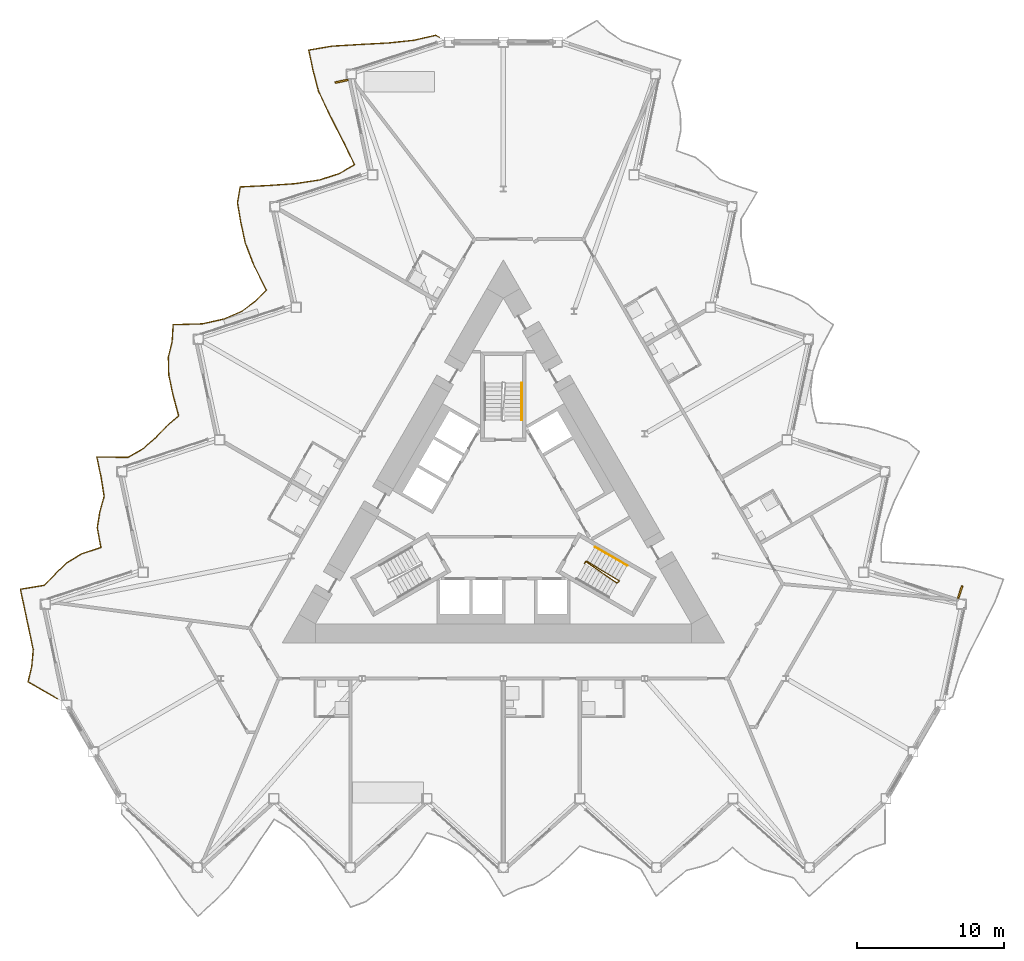
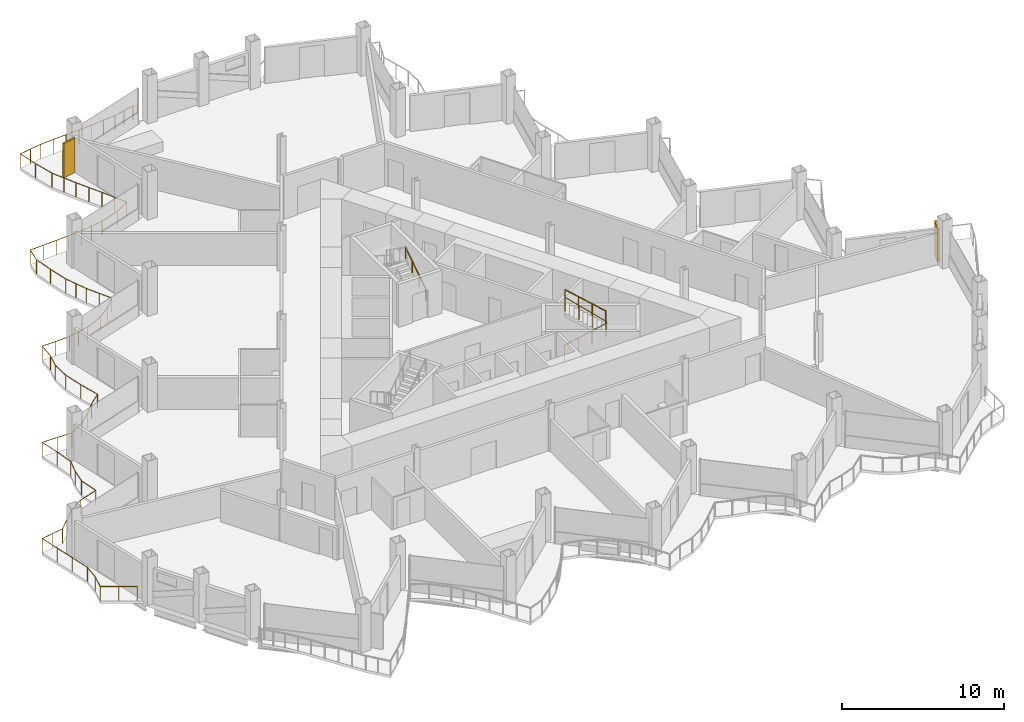
# One storey, part 20 of 23: 4 railings, 2 shading devices.
"""IFC4 building model written with IfcOpenShell, lengths in metres."""

from ifc_helpers import new_model, si_unit, direction, frame, origin, origin_2d, place, context, subcontext, project, spatial, rectangle, circle, extrude, material, layer, layer_set, type_object, element, save


model = new_model("IFC4")

# Units and contexts
model_context = context("Model", 3, precision=1e-05, world=origin(), true_north=direction((0.0, 1.0)))
body_context = subcontext(model_context, "Body", "Model", "MODEL_VIEW")
ifc_project = project(units=[si_unit("LENGTHUNIT", "METRE"), si_unit("AREAUNIT", "SQUARE_METRE"), si_unit("VOLUMEUNIT", "CUBIC_METRE"), si_unit("PLANEANGLEUNIT", "RADIAN"), si_unit("MASSUNIT", "GRAM", prefix="KILO")], contexts=[model_context])

# Site, building, storey
site_placement = place(None, origin())
site = spatial("IfcSite", under=ifc_project, at=site_placement, CompositionType="ELEMENT")
building_placement = place(site_placement, origin())
building = spatial("IfcBuilding", under=site, at=building_placement, Name="Cormorant Prow Tower", CompositionType="ELEMENT")
storey_placement = place(building_placement, frame((0.0, 0.0, 256.199951171875)))
storey = spatial("IfcBuildingStorey", under=building, at=storey_placement, Name="L57", CompositionType="ELEMENT", Elevation=256.199951171875)

# Railings
ifc_material_1 = material(Name="Aluminium 6063-T6", Category="aluminium")
railing_type_1 = type_object("IfcRailingType", Name="Balcony guard 1100", PredefinedType="GUARDRAIL", material=ifc_material_1)
railing_1_placement = place(storey_placement, frame((-4.348876953125, 32.414794921875, 0.0)))
element("IfcRailing", 1, at=railing_1_placement, inside=storey, type_object=railing_type_1, Name="Balcony guard WNW", PredefinedType="GUARDRAIL", context=body_context, shape_type="SweptSolid", body=[
    extrude(circle(Radius=0.02392578125, at=origin_2d()), frame((0.0, 0.0, 1.076171875), z_axis=(-0.865838944724, 0.500322817589, 0.0), x_axis=(-0.500322817589, -0.865838944724, 0.0)), (0.0, 0.0, 1.0), 0.269775390625),
    extrude(circle(Radius=0.02392578125, at=origin_2d()), frame((-0.233642578125, 0.135009765625, 1.076171875), z_axis=(-0.974797751922, -0.22309043648, 0.0), x_axis=(0.22309043648, -0.974797751922, 0.0)), (0.0, 0.0, 1.0), 1.522216796875),
    extrude(circle(Radius=0.02392578125, at=origin_2d()), frame((-1.717529296875, -0.20458984375, 1.076171875), z_axis=(-0.994581794299, -0.103956983649, 0.0), x_axis=(0.103956983649, -0.994581794299, 0.0)), (0.0, 0.0, 1.0), 1.763671875),
    extrude(circle(Radius=0.02392578125, at=origin_2d()), frame((-3.4716796875, -0.387939453125, 1.076171875), z_axis=(-0.998620310905, -0.052511662016, 0.0), x_axis=(0.052511662016, -0.998620310905, 0.0)), (0.0, 0.0, 1.0), 1.901611328125),
    extrude(circle(Radius=0.02392578125, at=origin_2d()), frame((-5.37060546875, -0.48779296875, 1.076171875), z_axis=(-0.998198317464, -0.06000099176, 0.0), x_axis=(0.06000099176, -0.998198317464, 0.0)), (0.0, 0.0, 1.0), 1.8798828125),
    extrude(circle(Radius=0.02392578125, at=origin_2d()), frame((-7.2470703125, -0.6005859375, 1.076171875), z_axis=(-0.986349342736, -0.164666250595, 0.0), x_axis=(0.164666250595, -0.986349342736, 0.0)), (0.0, 0.0, 1.0), 1.62939453125),
    extrude(circle(Radius=0.02392578125, at=origin_2d()), frame((-8.854248046875, -0.868896484375, 1.076171875), z_axis=(0.207890175504, -0.978152173708, 0.0), x_axis=(0.978152173708, 0.207890175504, 0.0)), (0.0, 0.0, 1.0), 1.39404296875),
    extrude(circle(Radius=0.02392578125, at=origin_2d()), frame((-8.564453125, -2.232421875, 1.076171875), z_axis=(0.250868855588, -0.968021083084, 0.0), x_axis=(0.968021083084, 0.250868855588, 0.0)), (0.0, 0.0, 1.0), 1.452880859375),
    extrude(circle(Radius=0.02392578125, at=origin_2d()), frame((-8.199951171875, -3.638916015625, 1.076171875), z_axis=(0.42504452231, -0.905172444374, 0.0), x_axis=(0.905172444374, 0.42504452231, 0.0)), (0.0, 0.0, 1.0), 1.812744140625),
    extrude(circle(Radius=0.02392578125, at=origin_2d()), frame((-7.429443359375, -5.27978515625, 1.076171875), z_axis=(0.457042214947, -0.889445003222, 0.0), x_axis=(0.889445003222, 0.457042214947, 0.0)), (0.0, 0.0, 1.0), 1.912353515625),
    extrude(circle(Radius=0.02392578125, at=origin_2d()), frame((-6.555419921875, -6.980712890625, 1.076171875), z_axis=(0.436662581505, -0.899625360866, 0.0), x_axis=(0.899625360866, 0.436662581505, 0.0)), (0.0, 0.0, 1.0), 1.84716796875),
    extrude(circle(Radius=0.02392578125, at=origin_2d()), frame((-5.748779296875, -8.642578125, 1.076171875), z_axis=(-0.86235547219, -0.506303307894, 0.0), x_axis=(0.506303307894, -0.86235547219, 0.0)), (0.0, 0.0, 1.0), 1.19091796875),
    extrude(circle(Radius=0.02392578125, at=origin_2d()), frame((-6.77587890625, -9.24560546875, 1.076171875), z_axis=(-0.952316734925, -0.305111186918, 0.0), x_axis=(0.305111186918, -0.952316734925, 0.0)), (0.0, 0.0, 1.0), 1.3994140625),
    extrude(circle(Radius=0.02392578125, at=origin_2d()), frame((-8.108642578125, -9.672607421875, 1.076171875), z_axis=(-0.988417686889, -0.151757952821, 0.0), x_axis=(0.151757952821, -0.988417686889, 0.0)), (0.0, 0.0, 1.0), 1.655517578125),
    extrude(circle(Radius=0.02392578125, at=origin_2d()), frame((-9.744873046875, -9.923828125, 1.076171875), z_axis=(-0.997587421512, -0.069421440794, 0.0), x_axis=(0.069421440794, -0.997587421512, 0.0)), (0.0, 0.0, 1.0), 1.853271484375),
    extrude(circle(Radius=0.02392578125, at=origin_2d()), frame((-11.59375, -10.052490234375, 1.076171875), z_axis=(-0.998789958657, -0.049179451859, 0.0), x_axis=(0.049179451859, -0.998789958657, 0.0)), (0.0, 0.0, 1.0), 1.9111328125),
    extrude(circle(Radius=0.02392578125, at=origin_2d()), frame((-13.502685546875, -10.146484375, 1.076171875), z_axis=(-0.165329575329, -0.986238374594, 0.0), x_axis=(0.986238374594, -0.165329575329, 0.0)), (0.0, 0.0, 1.0), 1.10595703125),
    extrude(circle(Radius=0.02392578125, at=origin_2d()), frame((-13.685546875, -11.2373046875, 1.076171875), z_axis=(0.171493859519, -0.985185188758, 0.0), x_axis=(0.985185188758, 0.171493859519, 0.0)), (0.0, 0.0, 1.0), 1.349609375),
    extrude(circle(Radius=0.02392578125, at=origin_2d()), frame((-13.4541015625, -12.56689453125, 1.076171875), z_axis=(0.207890175504, -0.978152173708, 0.0), x_axis=(0.978152173708, 0.207890175504, 0.0)), (0.0, 0.0, 1.0), 1.39404296875),
    extrude(circle(Radius=0.02392578125, at=origin_2d()), frame((-13.164306640625, -13.930419921875, 1.076171875), z_axis=(0.359435546798, -0.933169913627, 0.0), x_axis=(0.933169913627, 0.359435546798, 0.0)), (0.0, 0.0, 1.0), 1.6484375),
    extrude(circle(Radius=0.02392578125, at=origin_2d()), frame((-12.57177734375, -15.46875, 1.076171875), z_axis=(0.448509020419, -0.893778305064, 0.0), x_axis=(0.893778305064, 0.448509020419, 0.0)), (0.0, 0.0, 1.0), 1.884033203125),
    extrude(circle(Radius=0.02392578125, at=origin_2d()), frame((-11.726806640625, -17.152587890625, 1.076171875), z_axis=(-0.7048250733, -0.709381150051, 0.0), x_axis=(0.709381150051, -0.7048250733, 0.0)), (0.0, 0.0, 1.0), 1.07177734375),
    extrude(circle(Radius=0.02392578125, at=origin_2d()), frame((-12.482177734375, -17.912841796875, 1.076171875), z_axis=(-0.803334958935, -0.595527450042, 0.0), x_axis=(0.595527450042, -0.803334958935, 0.0)), (0.0, 0.0, 1.0), 1.12890625),
    extrude(circle(Radius=0.02392578125, at=origin_2d()), frame((-13.38916015625, -18.585205078125, 1.076171875), z_axis=(-0.916825847668, -0.399287321421, 0.0), x_axis=(0.399287321421, -0.916825847668, 0.0)), (0.0, 0.0, 1.0), 1.288330078125),
    extrude(circle(Radius=0.02392578125, at=origin_2d()), frame((-14.5703125, -19.099609375, 1.076171875), z_axis=(-0.976351593548, -0.21618872722, 0.0), x_axis=(0.21618872722, -0.976351593548, 0.0)), (0.0, 0.0, 1.0), 1.53369140625),
    extrude(circle(Radius=0.02392578125, at=origin_2d()), frame((-16.067626953125, -19.43115234375, 1.076171875), z_axis=(-0.999614039772, -0.027780775562, 0.0), x_axis=(0.027780775562, -0.999614039772, 0.0)), (0.0, 0.0, 1.0), 1.977294921875),
    extrude(circle(Radius=0.02392578125, at=origin_2d()), frame((-18.044189453125, -19.486083984375, 1.076171875), z_axis=(-0.062903941759, -0.998019586036, 0.0), x_axis=(0.998019586036, -0.062903941759, 0.0)), (0.0, 0.0, 1.0), 1.156494140625),
    extrude(circle(Radius=0.02392578125, at=origin_2d()), frame((-18.116943359375, -20.640380859375, 1.076171875), z_axis=(-0.237367680999, -0.97141988039, 0.0), x_axis=(0.97141988039, -0.237367680999, 0.0)), (0.0, 0.0, 1.0), 1.078857421875),
    extrude(circle(Radius=0.02392578125, at=origin_2d()), frame((-18.373046875, -21.6884765625, 1.076171875), z_axis=(0.02414268922, -0.999708522799, 0.0), x_axis=(0.999708522799, 0.02414268922, 0.0)), (0.0, 0.0, 1.0), 1.21337890625),
    extrude(circle(Radius=0.02392578125, at=origin_2d()), frame((-18.34375, -22.901611328125, 1.076171875), z_axis=(0.207890175504, -0.978152173708, 0.0), x_axis=(0.978152173708, 0.207890175504, 0.0)), (0.0, 0.0, 1.0), 1.39404296875),
    extrude(circle(Radius=0.02392578125, at=origin_2d()), frame((-18.053955078125, -24.26513671875, 1.076171875), z_axis=(0.259848107704, -0.965649502109, 0.0), x_axis=(0.965649502109, 0.259848107704, 0.0)), (0.0, 0.0, 1.0), 1.466552734375),
    extrude(circle(Radius=0.02392578125, at=origin_2d()), frame((-17.6728515625, -25.681396484375, 1.076171875), z_axis=(-0.761462428068, -0.648209048565, 0.0), x_axis=(0.648209048565, -0.761462428068, 0.0)), (0.0, 0.0, 1.0), 1.099365234375),
    extrude(circle(Radius=0.02392578125, at=origin_2d()), frame((-18.510009765625, -26.39404296875, 1.076171875), z_axis=(-0.694067852913, -0.719909588458, 0.0), x_axis=(0.719909588458, -0.694067852913, 0.0)), (0.0, 0.0, 1.0), 1.067626953125),
    extrude(circle(Radius=0.02392578125, at=origin_2d()), frame((-19.2509765625, -27.16259765625, 1.076171875), z_axis=(-0.747285863971, -0.664502699399, 0.0), x_axis=(0.664502699399, -0.747285863971, 0.0)), (0.0, 0.0, 1.0), 1.09130859375),
    extrude(circle(Radius=0.02392578125, at=origin_2d()), frame((-20.06640625, -27.8876953125, 1.076171875), z_axis=(-0.867414347486, -0.497586524914, 0.0), x_axis=(0.497586524914, -0.867414347486, 0.0)), (0.0, 0.0, 1.0), 1.1982421875),
    extrude(circle(Radius=0.02392578125, at=origin_2d()), frame((-21.105712890625, -28.48388671875, 1.076171875), z_axis=(-0.999921071725, 0.012563849777, 0.0), x_axis=(-0.012563849777, -0.999921071725, 0.0)), (0.0, 0.0, 1.0), 2.1181640625),
    extrude(circle(Radius=0.02392578125, at=origin_2d()), frame((-23.2236328125, -28.457275390625, 1.076171875), z_axis=(0.207890175504, -0.978152173708, 0.0), x_axis=(0.978152173708, 0.207890175504, 0.0)), (0.0, 0.0, 1.0), 1.39404296875),
    extrude(circle(Radius=0.02392578125, at=origin_2d()), frame((-22.933837890625, -29.82080078125, 1.076171875), z_axis=(0.157062298788, -0.987588696928, 0.0), x_axis=(0.987588696928, 0.157062298788, 0.0)), (0.0, 0.0, 1.0), 1.333740234375),
    extrude(circle(Radius=0.02392578125, at=origin_2d()), frame((-22.724365234375, -31.137939453125, 1.076171875), z_axis=(-0.273332360678, -0.961919653924, 0.0), x_axis=(0.961919653924, -0.273332360678, 0.0)), (0.0, 0.0, 1.0), 1.068359375),
    extrude(circle(Radius=0.02392578125, at=origin_2d()), frame((-23.016357421875, -32.16552734375, 1.076171875), z_axis=(-0.157363849991, -0.987540692182, 0.0), x_axis=(0.987540692182, -0.157363849991, 0.0)), (0.0, 0.0, 1.0), 1.109375),
    extrude(circle(Radius=0.02392578125, at=origin_2d()), frame((-23.19091796875, -33.260986328125, 1.076171875), z_axis=(0.181646185978, -0.983363952522, 0.0), x_axis=(0.983363952522, 0.181646185978, 0.0)), (0.0, 0.0, 1.0), 1.361572265625),
    extrude(circle(Radius=0.02392578125, at=origin_2d()), frame((-22.943603515625, -34.599853515625, 1.076171875), z_axis=(-0.95107267583, -0.308967256015, 0.0), x_axis=(0.308967256015, -0.95107267583, 0.0)), (0.0, 0.0, 1.0), 1.393798828125),
    extrude(circle(Radius=0.02392578125, at=origin_2d()), frame((-24.269287109375, -35.030517578125, 1.076171875), z_axis=(-0.851095176642, -0.52501142873, 0.0), x_axis=(0.52501142873, -0.851095176642, 0.0)), (0.0, 0.0, 1.0), 1.177001953125),
    extrude(circle(Radius=0.02392578125, at=origin_2d()), frame((-25.27099609375, -35.6484375, 1.076171875), z_axis=(-0.712876020925, -0.701290081771, 0.0), x_axis=(0.701290081771, -0.712876020925, 0.0)), (0.0, 0.0, 1.0), 1.07470703125),
    extrude(circle(Radius=0.02392578125, at=origin_2d()), frame((-26.037109375, -36.402099609375, 1.076171875), z_axis=(-0.70733432961, -0.706879159514, 0.0), x_axis=(0.706879159514, -0.70733432961, 0.0)), (0.0, 0.0, 1.0), 1.07275390625),
    extrude(circle(Radius=0.02392578125, at=origin_2d()), frame((-26.7958984375, -37.160400390625, 1.076171875), z_axis=(-0.986349342736, -0.164666250595, 0.0), x_axis=(0.164666250595, -0.986349342736, 0.0)), (0.0, 0.0, 1.0), 1.62939453125),
    extrude(circle(Radius=0.02392578125, at=origin_2d()), frame((-28.403076171875, -37.4287109375, 1.076171875), z_axis=(0.207925795705, -0.978144602541, 0.0), x_axis=(0.978144602541, 0.207925795705, 0.0)), (0.0, 0.0, 1.0), 1.393798828125),
    extrude(circle(Radius=0.02392578125, at=origin_2d()), frame((-28.11328125, -38.7919921875, 1.076171875), z_axis=(0.207890175504, -0.978152173708, 0.0), x_axis=(0.978152173708, 0.207890175504, 0.0)), (0.0, 0.0, 1.0), 1.39404296875),
    extrude(circle(Radius=0.02392578125, at=origin_2d()), frame((-27.823486328125, -40.155517578125, 1.076171875), z_axis=(0.207890175504, -0.978152173708, 0.0), x_axis=(0.978152173708, 0.207890175504, 0.0)), (0.0, 0.0, 1.0), 1.39404296875),
    extrude(circle(Radius=0.02392578125, at=origin_2d()), frame((-27.53369140625, -41.51904296875, 1.076171875), z_axis=(-0.086261062439, -0.996272567678, 0.0), x_axis=(0.996272567678, -0.086261062439, 0.0)), (0.0, 0.0, 1.0), 1.143310546875),
    extrude(circle(Radius=0.02392578125, at=origin_2d()), frame((-27.63232421875, -42.658203125, 1.076171875), z_axis=(-0.23194620114, -0.972728615687, 0.0), x_axis=(0.972728615687, -0.23194620114, 0.0)), (0.0, 0.0, 1.0), 1.0810546875),
    extrude(circle(Radius=0.02392578125, at=origin_2d()), frame((-27.883056640625, -43.709716796875, 1.076171875), z_axis=(0.866052595322, -0.499952899918, 0.0), x_axis=(0.499952899918, 0.866052595322, 0.0)), (0.0, 0.0, 1.0), 2.292724609375),
    extrude(circle(Radius=0.02099609375, at=origin_2d()), origin(), (0.0, 0.0, 1.0), 1.052001953125),
    extrude(circle(Radius=0.02099609375, at=origin_2d()), frame((-0.233642578125, 0.135009765625, 0.0)), (0.0, 0.0, 1.0), 1.052001953125),
    extrude(circle(Radius=0.02099609375, at=origin_2d()), frame((-0.9755859375, -0.03466796875, 0.0)), (0.0, 0.0, 1.0), 1.052001953125),
    extrude(circle(Radius=0.02099609375, at=origin_2d()), frame((-1.717529296875, -0.20458984375, 0.0)), (0.0, 0.0, 1.0), 1.052001953125),
    extrude(circle(Radius=0.02099609375, at=origin_2d()), frame((-2.5947265625, -0.29638671875, 0.0)), (0.0, 0.0, 1.0), 1.052001953125),
    extrude(circle(Radius=0.02099609375, at=origin_2d()), frame((-3.4716796875, -0.387939453125, 0.0)), (0.0, 0.0, 1.0), 1.052001953125),
    extrude(circle(Radius=0.02099609375, at=origin_2d()), frame((-4.421142578125, -0.43798828125, 0.0)), (0.0, 0.0, 1.0), 1.052001953125),
    extrude(circle(Radius=0.02099609375, at=origin_2d()), frame((-5.37060546875, -0.48779296875, 0.0)), (0.0, 0.0, 1.0), 1.052001953125),
    extrude(circle(Radius=0.02099609375, at=origin_2d()), frame((-6.308837890625, -0.544189453125, 0.0)), (0.0, 0.0, 1.0), 1.052001953125),
    extrude(circle(Radius=0.02099609375, at=origin_2d()), frame((-7.2470703125, -0.6005859375, 0.0)), (0.0, 0.0, 1.0), 1.052001953125),
    extrude(circle(Radius=0.02099609375, at=origin_2d()), frame((-8.05078125, -0.73486328125, 0.0)), (0.0, 0.0, 1.0), 1.052001953125),
    extrude(circle(Radius=0.02099609375, at=origin_2d()), frame((-8.854248046875, -0.868896484375, 0.0)), (0.0, 0.0, 1.0), 1.052001953125),
    extrude(circle(Radius=0.02099609375, at=origin_2d()), frame((-8.564453125, -2.232421875, 0.0)), (0.0, 0.0, 1.0), 1.052001953125),
    extrude(circle(Radius=0.02099609375, at=origin_2d()), frame((-8.199951171875, -3.638916015625, 0.0)), (0.0, 0.0, 1.0), 1.052001953125),
    extrude(circle(Radius=0.02099609375, at=origin_2d()), frame((-7.814697265625, -4.45947265625, 0.0)), (0.0, 0.0, 1.0), 1.052001953125),
    extrude(circle(Radius=0.02099609375, at=origin_2d()), frame((-7.429443359375, -5.27978515625, 0.0)), (0.0, 0.0, 1.0), 1.052001953125),
    extrude(circle(Radius=0.02099609375, at=origin_2d()), frame((-6.992431640625, -6.13037109375, 0.0)), (0.0, 0.0, 1.0), 1.052001953125),
    extrude(circle(Radius=0.02099609375, at=origin_2d()), frame((-6.555419921875, -6.980712890625, 0.0)), (0.0, 0.0, 1.0), 1.052001953125),
    extrude(circle(Radius=0.02099609375, at=origin_2d()), frame((-6.152099609375, -7.8115234375, 0.0)), (0.0, 0.0, 1.0), 1.052001953125),
    extrude(circle(Radius=0.02099609375, at=origin_2d()), frame((-5.748779296875, -8.642578125, 0.0)), (0.0, 0.0, 1.0), 1.052001953125),
    extrude(circle(Radius=0.02099609375, at=origin_2d()), frame((-6.77587890625, -9.24560546875, 0.0)), (0.0, 0.0, 1.0), 1.052001953125),
    extrude(circle(Radius=0.02099609375, at=origin_2d()), frame((-8.108642578125, -9.672607421875, 0.0)), (0.0, 0.0, 1.0), 1.052001953125),
    extrude(circle(Radius=0.02099609375, at=origin_2d()), frame((-8.9267578125, -9.79833984375, 0.0)), (0.0, 0.0, 1.0), 1.052001953125),
    extrude(circle(Radius=0.02099609375, at=origin_2d()), frame((-9.744873046875, -9.923828125, 0.0)), (0.0, 0.0, 1.0), 1.052001953125),
    extrude(circle(Radius=0.02099609375, at=origin_2d()), frame((-10.66943359375, -9.98828125, 0.0)), (0.0, 0.0, 1.0), 1.052001953125),
    extrude(circle(Radius=0.02099609375, at=origin_2d()), frame((-11.59375, -10.052490234375, 0.0)), (0.0, 0.0, 1.0), 1.052001953125),
    extrude(circle(Radius=0.02099609375, at=origin_2d()), frame((-12.54833984375, -10.099609375, 0.0)), (0.0, 0.0, 1.0), 1.052001953125),
    extrude(circle(Radius=0.02099609375, at=origin_2d()), frame((-13.502685546875, -10.146484375, 0.0)), (0.0, 0.0, 1.0), 1.052001953125),
    extrude(circle(Radius=0.02099609375, at=origin_2d()), frame((-13.685546875, -11.2373046875, 0.0)), (0.0, 0.0, 1.0), 1.052001953125),
    extrude(circle(Radius=0.02099609375, at=origin_2d()), frame((-13.4541015625, -12.56689453125, 0.0)), (0.0, 0.0, 1.0), 1.052001953125),
    extrude(circle(Radius=0.02099609375, at=origin_2d()), frame((-13.164306640625, -13.930419921875, 0.0)), (0.0, 0.0, 1.0), 1.052001953125),
    extrude(circle(Radius=0.02099609375, at=origin_2d()), frame((-12.8681640625, -14.69970703125, 0.0)), (0.0, 0.0, 1.0), 1.052001953125),
    extrude(circle(Radius=0.02099609375, at=origin_2d()), frame((-12.57177734375, -15.46875, 0.0)), (0.0, 0.0, 1.0), 1.052001953125),
    extrude(circle(Radius=0.02099609375, at=origin_2d()), frame((-12.1494140625, -16.310546875, 0.0)), (0.0, 0.0, 1.0), 1.052001953125),
    extrude(circle(Radius=0.02099609375, at=origin_2d()), frame((-11.726806640625, -17.152587890625, 0.0)), (0.0, 0.0, 1.0), 1.052001953125),
    extrude(circle(Radius=0.02099609375, at=origin_2d()), frame((-12.482177734375, -17.912841796875, 0.0)), (0.0, 0.0, 1.0), 1.052001953125),
    extrude(circle(Radius=0.02099609375, at=origin_2d()), frame((-13.38916015625, -18.585205078125, 0.0)), (0.0, 0.0, 1.0), 1.052001953125),
    extrude(circle(Radius=0.02099609375, at=origin_2d()), frame((-14.5703125, -19.099609375, 0.0)), (0.0, 0.0, 1.0), 1.052001953125),
    extrude(circle(Radius=0.02099609375, at=origin_2d()), frame((-15.31884765625, -19.265380859375, 0.0)), (0.0, 0.0, 1.0), 1.052001953125),
    extrude(circle(Radius=0.02099609375, at=origin_2d()), frame((-16.067626953125, -19.43115234375, 0.0)), (0.0, 0.0, 1.0), 1.052001953125),
    extrude(circle(Radius=0.02099609375, at=origin_2d()), frame((-17.055908203125, -19.45849609375, 0.0)), (0.0, 0.0, 1.0), 1.052001953125),
    extrude(circle(Radius=0.02099609375, at=origin_2d()), frame((-18.044189453125, -19.486083984375, 0.0)), (0.0, 0.0, 1.0), 1.052001953125),
    extrude(circle(Radius=0.02099609375, at=origin_2d()), frame((-18.116943359375, -20.640380859375, 0.0)), (0.0, 0.0, 1.0), 1.052001953125),
    extrude(circle(Radius=0.02099609375, at=origin_2d()), frame((-18.373046875, -21.6884765625, 0.0)), (0.0, 0.0, 1.0), 1.052001953125),
    extrude(circle(Radius=0.02099609375, at=origin_2d()), frame((-18.34375, -22.901611328125, 0.0)), (0.0, 0.0, 1.0), 1.052001953125),
    extrude(circle(Radius=0.02099609375, at=origin_2d()), frame((-18.053955078125, -24.26513671875, 0.0)), (0.0, 0.0, 1.0), 1.052001953125),
    extrude(circle(Radius=0.02099609375, at=origin_2d()), frame((-17.6728515625, -25.681396484375, 0.0)), (0.0, 0.0, 1.0), 1.052001953125),
    extrude(circle(Radius=0.02099609375, at=origin_2d()), frame((-18.510009765625, -26.39404296875, 0.0)), (0.0, 0.0, 1.0), 1.052001953125),
    extrude(circle(Radius=0.02099609375, at=origin_2d()), frame((-19.2509765625, -27.16259765625, 0.0)), (0.0, 0.0, 1.0), 1.052001953125),
    extrude(circle(Radius=0.02099609375, at=origin_2d()), frame((-20.06640625, -27.8876953125, 0.0)), (0.0, 0.0, 1.0), 1.052001953125),
    extrude(circle(Radius=0.02099609375, at=origin_2d()), frame((-21.105712890625, -28.48388671875, 0.0)), (0.0, 0.0, 1.0), 1.052001953125),
    extrude(circle(Radius=0.02099609375, at=origin_2d()), frame((-22.16455078125, -28.470703125, 0.0)), (0.0, 0.0, 1.0), 1.052001953125),
    extrude(circle(Radius=0.02099609375, at=origin_2d()), frame((-23.2236328125, -28.457275390625, 0.0)), (0.0, 0.0, 1.0), 1.052001953125),
    extrude(circle(Radius=0.02099609375, at=origin_2d()), frame((-22.933837890625, -29.82080078125, 0.0)), (0.0, 0.0, 1.0), 1.052001953125),
    extrude(circle(Radius=0.02099609375, at=origin_2d()), frame((-22.724365234375, -31.137939453125, 0.0)), (0.0, 0.0, 1.0), 1.052001953125),
    extrude(circle(Radius=0.02099609375, at=origin_2d()), frame((-23.016357421875, -32.16552734375, 0.0)), (0.0, 0.0, 1.0), 1.052001953125),
    extrude(circle(Radius=0.02099609375, at=origin_2d()), frame((-23.19091796875, -33.260986328125, 0.0)), (0.0, 0.0, 1.0), 1.052001953125),
    extrude(circle(Radius=0.02099609375, at=origin_2d()), frame((-22.943603515625, -34.599853515625, 0.0)), (0.0, 0.0, 1.0), 1.052001953125),
    extrude(circle(Radius=0.02099609375, at=origin_2d()), frame((-24.269287109375, -35.030517578125, 0.0)), (0.0, 0.0, 1.0), 1.052001953125),
    extrude(circle(Radius=0.02099609375, at=origin_2d()), frame((-25.27099609375, -35.6484375, 0.0)), (0.0, 0.0, 1.0), 1.052001953125),
    extrude(circle(Radius=0.02099609375, at=origin_2d()), frame((-26.037109375, -36.402099609375, 0.0)), (0.0, 0.0, 1.0), 1.052001953125),
    extrude(circle(Radius=0.02099609375, at=origin_2d()), frame((-26.7958984375, -37.160400390625, 0.0)), (0.0, 0.0, 1.0), 1.052001953125),
    extrude(circle(Radius=0.02099609375, at=origin_2d()), frame((-27.599609375, -37.29443359375, 0.0)), (0.0, 0.0, 1.0), 1.052001953125),
    extrude(circle(Radius=0.02099609375, at=origin_2d()), frame((-28.403076171875, -37.4287109375, 0.0)), (0.0, 0.0, 1.0), 1.052001953125),
    extrude(circle(Radius=0.02099609375, at=origin_2d()), frame((-28.11328125, -38.7919921875, 0.0)), (0.0, 0.0, 1.0), 1.052001953125),
    extrude(circle(Radius=0.02099609375, at=origin_2d()), frame((-27.823486328125, -40.155517578125, 0.0)), (0.0, 0.0, 1.0), 1.052001953125),
    extrude(circle(Radius=0.02099609375, at=origin_2d()), frame((-27.53369140625, -41.51904296875, 0.0)), (0.0, 0.0, 1.0), 1.052001953125),
    extrude(circle(Radius=0.02099609375, at=origin_2d()), frame((-27.63232421875, -42.658203125, 0.0)), (0.0, 0.0, 1.0), 1.052001953125),
    extrude(circle(Radius=0.02099609375, at=origin_2d()), frame((-27.883056640625, -43.709716796875, 0.0)), (0.0, 0.0, 1.0), 1.052001953125),
    extrude(circle(Radius=0.02099609375, at=origin_2d()), frame((-26.89013671875, -44.28271484375, 0.0)), (0.0, 0.0, 1.0), 1.052001953125),
    extrude(circle(Radius=0.02099609375, at=origin_2d()), frame((-25.8974609375, -44.85595703125, 0.0)), (0.0, 0.0, 1.0), 1.052001953125),
])
ifc_material_2 = material(Name="Stainless steel", Category="steel")
railing_type_2 = type_object("IfcRailingType", Name="Stair guard 1100", PredefinedType="GUARDRAIL", material=ifc_material_2)
railing_2_placement = place(storey_placement, frame((5.510009765625, -3.267822265625, 0.0)))
element("IfcRailing", 2, at=railing_2_placement, inside=storey, type_object=railing_type_2, Name="L57 ST2 stair guard 1", PredefinedType="GUARDRAIL", context=body_context, shape_type="SweptSolid", body=[
    extrude(circle(Radius=0.02392578125, at=origin_2d()), frame((0.0, 0.0, 1.076171875), z_axis=(0.501036270542, 0.865426285481, 0.0), x_axis=(-0.865426285481, 0.501036270542, 0.0)), (0.0, 0.0, 1.0), 0.150146484375),
    extrude(circle(Radius=0.02392578125, at=origin_2d()), frame((0.0751953125, 0.1298828125, 1.076171875), z_axis=(0.676058237057, -0.463829066155, 0.572545070276), x_axis=(0.565732651216, 0.824588726183, 0.0)), (0.0, 0.0, 1.0), 3.14404296875),
    extrude(circle(Radius=0.02392578125, at=origin_2d()), frame((2.20068359375, -1.328369140625, 2.8759765625), z_axis=(0.695164929852, 0.718850276695, 0.0), x_axis=(-0.718850276695, 0.695164929852, 0.0)), (0.0, 0.0, 1.0), 0.2060546875),
    extrude(circle(Radius=0.02392578125, at=origin_2d()), frame((2.343994140625, -1.18017578125, 2.8759765625), z_axis=(-0.70127624584, 0.423301980654, 0.573608804147), x_axis=(-0.516770599887, -0.856123908726, 0.0)), (0.0, 0.0, 1.0), 3.13818359375),
    extrude(circle(Radius=0.02099609375, at=origin_2d()), origin(), (0.0, 0.0, 1.0), 1.052001953125),
    extrude(circle(Radius=0.02099609375, at=origin_2d()), frame((0.0751953125, 0.1298828125, 0.0)), (0.0, 0.0, 1.0), 1.052001953125),
    extrude(circle(Radius=0.02099609375, at=origin_2d()), frame((0.78369140625, -0.356201171875, 0.60009765625)), (0.0, 0.0, 1.0), 1.052001953125),
    extrude(circle(Radius=0.02099609375, at=origin_2d()), frame((1.4921875, -0.84228515625, 1.199951171875)), (0.0, 0.0, 1.0), 1.052001953125),
    extrude(circle(Radius=0.02099609375, at=origin_2d()), frame((2.20068359375, -1.328369140625, 1.800048828125)), (0.0, 0.0, 1.0), 1.052001953125),
    extrude(circle(Radius=0.02099609375, at=origin_2d()), frame((2.343994140625, -1.18017578125, 1.800048828125)), (0.0, 0.0, 1.0), 1.052001953125),
    extrude(circle(Radius=0.02099609375, at=origin_2d()), frame((1.6103515625, -0.7373046875, 2.400146484375)), (0.0, 0.0, 1.0), 1.052001953125),
    extrude(circle(Radius=0.02099609375, at=origin_2d()), frame((0.876953125, -0.294677734375, 3.0)), (0.0, 0.0, 1.0), 1.052001953125),
    extrude(circle(Radius=0.02099609375, at=origin_2d()), frame((0.143310546875, 0.148193359375, 3.60009765625)), (0.0, 0.0, 1.0), 1.052001953125),
])
ifc_material_3 = material(Name="Stainless steel", Category="steel")
railing_type_3 = type_object("IfcRailingType", Name="Stair handrail 900", PredefinedType="HANDRAIL", material=ifc_material_3)
railing_3_placement = place(storey_placement, frame((8.395263671875, -3.41064453125, 1.97998046875)))
element("IfcRailing", 3, at=railing_3_placement, inside=storey, type_object=railing_type_3, Name="L57 ST2 stair handrail 2", PredefinedType="HANDRAIL", context=body_context, shape_type="SweptSolid", body=[
    extrude(circle(Radius=0.02392578125, at=origin_2d()), frame((0.0, 0.0, 0.8759765625), z_axis=(-0.728463801763, 0.420584145978, 0.540785970299), x_axis=(-0.500004791531, -0.866022637375, 0.0)), (0.0, 0.0, 1.0), 2.995849609375),
    extrude(circle(Radius=0.02099609375, at=origin_2d()), origin(), (0.0, 0.0, 1.0), 0.851806640625),
    extrude(circle(Radius=0.02099609375, at=origin_2d()), frame((-0.7275390625, 0.419921875, 0.5400390625)), (0.0, 0.0, 1.0), 0.851806640625),
    extrude(circle(Radius=0.02099609375, at=origin_2d()), frame((-1.454833984375, 0.840087890625, 1.080078125)), (0.0, 0.0, 1.0), 0.851806640625),
    extrude(circle(Radius=0.02099609375, at=origin_2d()), frame((-2.182373046875, 1.260009765625, 1.6201171875)), (0.0, 0.0, 1.0), 0.851806640625),
])
railing_4_placement = place(storey_placement, frame((1.243896484375, 6.455810546875, 0.179931640625)))
element("IfcRailing", 4, at=railing_4_placement, inside=storey, type_object=railing_type_3, Name="L57 ST3 stair handrail 1", PredefinedType="HANDRAIL", context=body_context, shape_type="SweptSolid", body=[
    extrude(circle(Radius=0.02392578125, at=origin_2d()), frame((0.0, 0.0, 0.8759765625), z_axis=(0.0, 0.841162588446, 0.540782303519), x_axis=(-1.0, 0.0, 0.0)), (0.0, 0.0, 1.0), 2.995849609375),
    extrude(circle(Radius=0.02099609375, at=origin_2d()), origin(), (0.0, 0.0, 1.0), 0.851806640625),
    extrude(circle(Radius=0.02099609375, at=origin_2d()), frame((0.0, 0.840087890625, 0.5400390625)), (0.0, 0.0, 1.0), 0.851806640625),
    extrude(circle(Radius=0.02099609375, at=origin_2d()), frame((0.0, 1.679931640625, 1.080078125)), (0.0, 0.0, 1.0), 0.851806640625),
    extrude(circle(Radius=0.02099609375, at=origin_2d()), frame((0.0, 2.52001953125, 1.6201171875)), (0.0, 0.0, 1.0), 0.851806640625),
])

# Shading devices
ifc_material_4 = material(Name="Terracotta", Category="masonry")
ifc_layer = layer(ifc_material_4, 0.1201171875)
ifc_layer_set = layer_set([ifc_layer], Name="Terracotta")
shading_device_type = type_object("IfcShadingDeviceType", Name="Terracotta baguette fin 120x900x2600", PredefinedType="USERDEFINED", material=ifc_layer_set)
for number, where, z_axis, x_axis, name in (
    (5, (30.971923828125, -5.21240234375, 0.0), (0.0, 0.0, 1.0), (-0.951056520475, 0.309016981511, 0.0), "Baguette fin ENE01"),
    (6, (-10.971923828125, 29.4287109375, 0.0), (0.0, 0.0, 1.0), (0.207911825822, -0.978147572038, 0.0), "Baguette fin WNW01"),
):
    element("IfcShadingDevice", number, at=place(storey_placement, frame(where, z_axis=z_axis, x_axis=x_axis)), inside=storey, type_object=shading_device_type, Name=name, ObjectType="BAGUETTE", PredefinedType="USERDEFINED", context=body_context, shape_type="SweptSolid", body=[
        extrude(rectangle(XDim=0.1201171875, YDim=0.89990234375, at=origin_2d()), origin(), (0.0, 0.0, 1.0), 2.60009765625),
    ])

save(model, "model.ifc")
